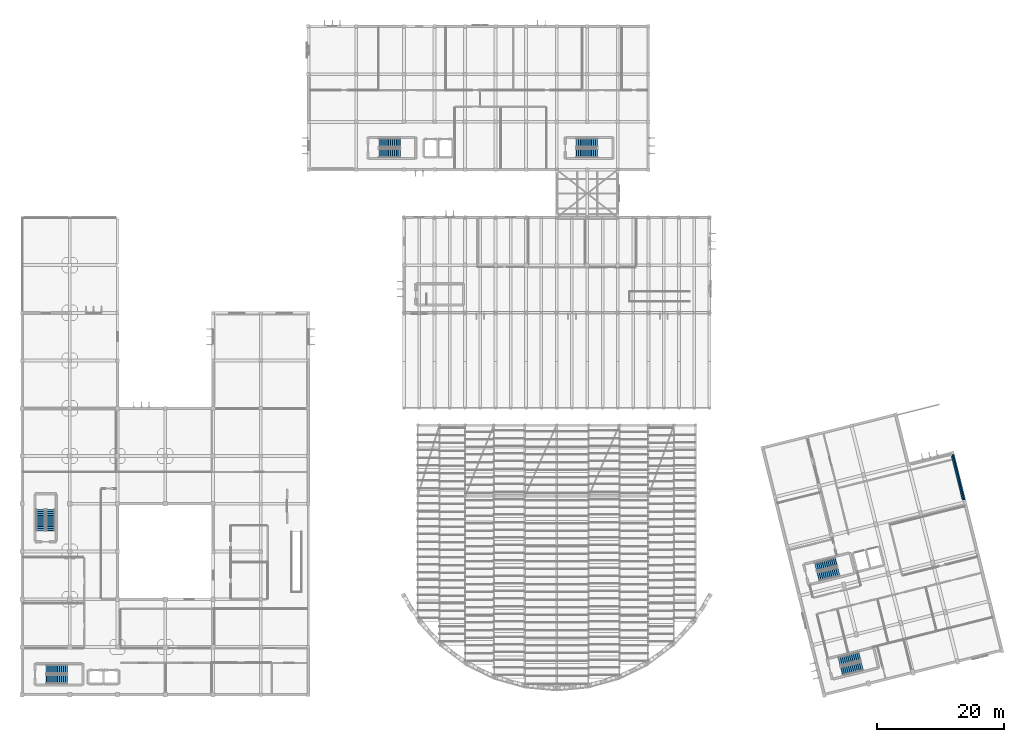
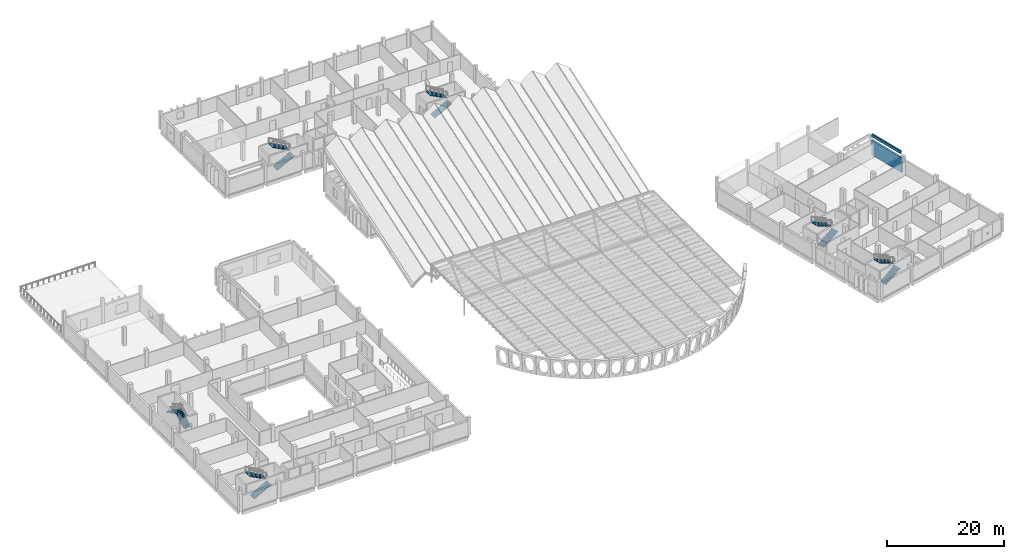
# One storey, part 33 of 47: 12 stair flights, 2 walls, 6 elements without a shape of their own.
"""IFC4 building model written with IfcOpenShell, lengths in metres."""

from ifc_helpers import new_model, si_unit, direction, frame, frame_2d, origin, place, context, subcontext, project, spatial, polyline, rectangle, outline, extrude, material, layer, layer_set, type_object, element, aggregate, save


model = new_model("IFC4")

# Units and contexts
model_context = context("Model", 3, precision=1e-05, world=origin(), true_north=direction((0.0, 1.0)))
body_context = subcontext(model_context, "Body", "Model", "MODEL_VIEW")
ifc_project = project(units=[si_unit("LENGTHUNIT", "METRE"), si_unit("AREAUNIT", "SQUARE_METRE"), si_unit("VOLUMEUNIT", "CUBIC_METRE"), si_unit("PLANEANGLEUNIT", "RADIAN"), si_unit("MASSUNIT", "GRAM", prefix="KILO")], contexts=[model_context])

# Site, building, storey
site_placement = place(None, origin())
site = spatial("IfcSite", under=ifc_project, at=site_placement, CompositionType="ELEMENT")
building_placement = place(site_placement, origin())
building = spatial("IfcBuilding", under=site, at=building_placement, Name="Mawjan Specialist Oncology Clinic", CompositionType="ELEMENT")
storey_placement = place(building_placement, frame((0.0, 0.0, 9.5)))
storey = spatial("IfcBuildingStorey", under=building, at=storey_placement, Name="L02", CompositionType="ELEMENT", Elevation=9.5)

# Walls
ifc_material_1 = material(Name="Precast concrete C40/50", Category="concrete")
ifc_layer_1 = layer(ifc_material_1, 0.35009765625, Name="Precast concrete C40/50", Category="concrete")
ifc_layer_set_1 = layer_set([ifc_layer_1], Name="Precast concrete C40/50")
wall_type_1 = type_object("IfcWallType", Name="EW-350", PredefinedType="SOLIDWALL", material=ifc_layer_set_1)
wall_1_placement = place(storey_placement, frame((146.263427734375, 38.57421875, 0.0), z_axis=(0.0, 0.0, 1.0), x_axis=(0.241920240952, -0.970296138825, 0.0)))
element("IfcWall", 1, at=wall_1_placement, inside=storey, type_object=wall_type_1, Name="L02 Coral-Limestone Exterior Wall EW-L02-151", PredefinedType="SOLIDWALL", context=body_context, shape_type="SweptSolid", body=[
    extrude(rectangle(XDim=7.375, YDim=0.35009765625, at=frame_2d((3.6875, 0.0))), origin(), (0.0, 0.0, 1.0), 3.034912109375),
])
ifc_material_2 = material(Name="Precast concrete C40/50", Category="concrete")
ifc_layer_2 = layer(ifc_material_2, 0.260009765625, Name="Precast concrete C40/50", Category="concrete")
ifc_layer_set_2 = layer_set([ifc_layer_2], Name="Precast concrete C40/50")
wall_type_2 = type_object("IfcWallType", Name="PAR-260", PredefinedType="PARAPET", material=ifc_layer_set_2)
wall_2_placement = place(storey_placement, frame((146.14453125, 38.3076171875, 3.89990234375), z_axis=(0.0, 0.0, 1.0), x_axis=(0.24191366813, -0.970297777578, 0.0)))
element("IfcWall", 2, at=wall_2_placement, inside=storey, type_object=wall_type_2, Name="L02 Roof Parapet Upstand 23", PredefinedType="PARAPET", context=body_context, shape_type="SweptSolid", body=[
    extrude(rectangle(XDim=7.02001953125, YDim=0.260009765625, at=frame_2d((3.510009765625, 0.0))), origin(), (0.0, 0.0, 1.0), 0.60009765625),
])

# Stair, stair flights
ifc_material_3 = material(Name="Concrete C35/45", Category="concrete")
stair_type = type_object("IfcStairType", Name="STR-CORE40", PredefinedType="HALF_TURN_STAIR", material=ifc_material_3)
stair_1_placement = place(storey_placement, origin())
stair_1 = element("IfcStair", 3, at=stair_1_placement, inside=storey, type_object=stair_type, Name="L02 Exit Stair ST-01", PredefinedType="HALF_TURN_STAIR")
ifc_material_4 = material(Name="Concrete C35/45", Category="concrete")
ifc_layer_3 = layer(ifc_material_4, 0.14990234375, Name="Concrete C35/45", Category="concrete")
ifc_layer_set_3 = layer_set([ifc_layer_3], Name="Concrete C35/45")
stair_flight_type = type_object("IfcStairFlightType", Name="FLT-CORE40", PredefinedType="STRAIGHT", material=ifc_layer_set_3)
stair_flight_1_placement = place(storey_placement, frame((3.800048828125, 3.199951171875, 0.0), z_axis=(0.0, 0.0, 1.0), x_axis=(1.0, 0.0, 0.0)))
stair_flight_1 = element("IfcStairFlight", 4, at=stair_flight_1_placement, type_object=stair_flight_type, Name="ST-01 flight 1", NumberOfRisers=12, NumberOfTreads=11, PredefinedType="STRAIGHT", RiserHeight=0.166666667, TreadLength=0.3, context=body_context, shape_type="SweptSolid", body=[
    extrude(outline(polyline([(-0.044921875, -0.0400390625), (-0.044921875, 0.0), (0.0, 0.0), (0.0, 0.166748046875), (0.300048828125, 0.166748046875), (0.300048828125, 0.333251953125), (0.60009765625, 0.333251953125), (0.60009765625, 0.5), (0.89990234375, 0.5), (0.89990234375, 0.666748046875), (1.199951171875, 0.666748046875), (1.199951171875, 0.833251953125), (1.5, 0.833251953125), (1.5, 1.0), (1.800048828125, 1.0), (1.800048828125, 1.166748046875), (2.10009765625, 1.166748046875), (2.10009765625, 1.333251953125), (2.39990234375, 1.333251953125), (2.39990234375, 1.5), (2.699951171875, 1.5), (2.699951171875, 1.666748046875), (3.0, 1.666748046875), (3.0, 1.833251953125), (3.300048828125, 1.833251953125), (3.344970703125, 1.833251953125), (3.344970703125, 1.683349609375), (0.044921875, -0.0400390625), (-0.044921875, -0.0400390625)])), frame((0.0, 0.699951171875, 0.0), z_axis=(0.0, -1.0, 0.0), x_axis=(1.0, 0.0, 0.0)), (0.0, 0.0, 1.0), 1.39990234375),
])
stair_flight_2_placement = place(storey_placement, frame((7.10009765625, 4.800048828125, 2.0), z_axis=(0.0, 0.0, 1.0), x_axis=(-1.0, 0.0, 0.0)))
stair_flight_2 = element("IfcStairFlight", 5, at=stair_flight_2_placement, type_object=stair_flight_type, Name="ST-01 flight 2", NumberOfRisers=12, NumberOfTreads=11, PredefinedType="STRAIGHT", RiserHeight=0.166666667, TreadLength=0.3, context=body_context, shape_type="SweptSolid", body=[
    extrude(outline(polyline([(-0.044921875, -0.0400390625), (-0.044921875, 0.0), (0.0, 0.0), (0.0, 0.166748046875), (0.300048828125, 0.166748046875), (0.300048828125, 0.333251953125), (0.60009765625, 0.333251953125), (0.60009765625, 0.5), (0.89990234375, 0.5), (0.89990234375, 0.666748046875), (1.199951171875, 0.666748046875), (1.199951171875, 0.833251953125), (1.5, 0.833251953125), (1.5, 1.0), (1.800048828125, 1.0), (1.800048828125, 1.166748046875), (2.10009765625, 1.166748046875), (2.10009765625, 1.333251953125), (2.39990234375, 1.333251953125), (2.39990234375, 1.5), (2.699951171875, 1.5), (2.699951171875, 1.666748046875), (3.0, 1.666748046875), (3.0, 1.833251953125), (3.300048828125, 1.833251953125), (3.344970703125, 1.833251953125), (3.344970703125, 1.683349609375), (0.044921875, -0.0400390625), (-0.044921875, -0.0400390625)])), frame((0.0, 0.699951171875, 0.0), z_axis=(0.0, -1.0, 0.0), x_axis=(1.0, 0.0, 0.0)), (0.0, 0.0, 1.0), 1.39990234375),
])
aggregate(stair_1, [stair_flight_1, stair_flight_2])

stair_2_placement = place(storey_placement, origin())
stair_2 = element("IfcStair", 6, at=stair_2_placement, inside=storey, type_object=stair_type, Name="L02 Exit Stair ST-02", PredefinedType="HALF_TURN_STAIR")
stair_flight_3_placement = place(storey_placement, frame((4.5, 26.60009765625, 0.0), z_axis=(0.0, 0.0, 1.0), x_axis=(0.0, 1.0, 0.0)))
stair_flight_3 = element("IfcStairFlight", 7, at=stair_flight_3_placement, type_object=stair_flight_type, Name="ST-02 flight 1", NumberOfRisers=12, NumberOfTreads=11, PredefinedType="STRAIGHT", RiserHeight=0.166666667, TreadLength=0.3, context=body_context, shape_type="SweptSolid", body=[
    extrude(outline(polyline([(-0.044921875, -0.0400390625), (-0.044921875, 0.0), (0.0, 0.0), (0.0, 0.166748046875), (0.300048828125, 0.166748046875), (0.300048828125, 0.333251953125), (0.60009765625, 0.333251953125), (0.60009765625, 0.5), (0.89990234375, 0.5), (0.89990234375, 0.666748046875), (1.199951171875, 0.666748046875), (1.199951171875, 0.833251953125), (1.5, 0.833251953125), (1.5, 1.0), (1.800048828125, 1.0), (1.800048828125, 1.166748046875), (2.10009765625, 1.166748046875), (2.10009765625, 1.333251953125), (2.39990234375, 1.333251953125), (2.39990234375, 1.5), (2.699951171875, 1.5), (2.699951171875, 1.666748046875), (3.0, 1.666748046875), (3.0, 1.833251953125), (3.300048828125, 1.833251953125), (3.344970703125, 1.833251953125), (3.344970703125, 1.683349609375), (0.044921875, -0.0400390625), (-0.044921875, -0.0400390625)])), frame((0.0, 0.699951171875, 0.0), z_axis=(0.0, -1.0, 0.0), x_axis=(1.0, 0.0, 0.0)), (0.0, 0.0, 1.0), 1.39990234375),
])
stair_flight_4_placement = place(storey_placement, frame((2.89990234375, 29.89990234375, 2.0), z_axis=(0.0, 0.0, 1.0), x_axis=(0.0, -1.0, 0.0)))
stair_flight_4 = element("IfcStairFlight", 8, at=stair_flight_4_placement, type_object=stair_flight_type, Name="ST-02 flight 2", NumberOfRisers=12, NumberOfTreads=11, PredefinedType="STRAIGHT", RiserHeight=0.166666667, TreadLength=0.3, context=body_context, shape_type="SweptSolid", body=[
    extrude(outline(polyline([(-0.044921875, -0.0400390625), (-0.044921875, 0.0), (0.0, 0.0), (0.0, 0.166748046875), (0.300048828125, 0.166748046875), (0.300048828125, 0.333251953125), (0.60009765625, 0.333251953125), (0.60009765625, 0.5), (0.89990234375, 0.5), (0.89990234375, 0.666748046875), (1.199951171875, 0.666748046875), (1.199951171875, 0.833251953125), (1.5, 0.833251953125), (1.5, 1.0), (1.800048828125, 1.0), (1.800048828125, 1.166748046875), (2.10009765625, 1.166748046875), (2.10009765625, 1.333251953125), (2.39990234375, 1.333251953125), (2.39990234375, 1.5), (2.699951171875, 1.5), (2.699951171875, 1.666748046875), (3.0, 1.666748046875), (3.0, 1.833251953125), (3.300048828125, 1.833251953125), (3.344970703125, 1.833251953125), (3.344970703125, 1.683349609375), (0.044921875, -0.0400390625), (-0.044921875, -0.0400390625)])), frame((0.0, 0.699951171875, 0.0), z_axis=(0.0, -1.0, 0.0), x_axis=(1.0, 0.0, 0.0)), (0.0, 0.0, 1.0), 1.39990234375),
])
aggregate(stair_2, [stair_flight_3, stair_flight_4])

stair_3_placement = place(storey_placement, origin())
stair_3 = element("IfcStair", 9, at=stair_3_placement, inside=storey, type_object=stair_type, Name="L02 Exit Stair ST-03", PredefinedType="HALF_TURN_STAIR")
stair_flight_5_placement = place(storey_placement, frame((56.10009765625, 85.89990234375, 0.0), z_axis=(0.0, 0.0, 1.0), x_axis=(1.0, 0.0, 0.0)))
stair_flight_5 = element("IfcStairFlight", 10, at=stair_flight_5_placement, type_object=stair_flight_type, Name="ST-03 flight 1", NumberOfRisers=12, NumberOfTreads=11, PredefinedType="STRAIGHT", RiserHeight=0.166666667, TreadLength=0.3, context=body_context, shape_type="SweptSolid", body=[
    extrude(outline(polyline([(-0.044921875, -0.0400390625), (-0.044921875, 0.0), (0.0, 0.0), (0.0, 0.166748046875), (0.300048828125, 0.166748046875), (0.300048828125, 0.333251953125), (0.60009765625, 0.333251953125), (0.60009765625, 0.5), (0.89990234375, 0.5), (0.89990234375, 0.666748046875), (1.199951171875, 0.666748046875), (1.199951171875, 0.833251953125), (1.5, 0.833251953125), (1.5, 1.0), (1.800048828125, 1.0), (1.800048828125, 1.166748046875), (2.10009765625, 1.166748046875), (2.10009765625, 1.333251953125), (2.39990234375, 1.333251953125), (2.39990234375, 1.5), (2.699951171875, 1.5), (2.699951171875, 1.666748046875), (3.0, 1.666748046875), (3.0, 1.833251953125), (3.300048828125, 1.833251953125), (3.344970703125, 1.833251953125), (3.344970703125, 1.683349609375), (0.044921875, -0.0400390625), (-0.044921875, -0.0400390625)])), frame((0.0, 0.699951171875, 0.0), z_axis=(0.0, -1.0, 0.0), x_axis=(1.0, 0.0, 0.0)), (0.0, 0.0, 1.0), 1.39990234375),
])
stair_flight_6_placement = place(storey_placement, frame((59.39990234375, 87.5, 2.0), z_axis=(0.0, 0.0, 1.0), x_axis=(-1.0, 0.0, 0.0)))
stair_flight_6 = element("IfcStairFlight", 11, at=stair_flight_6_placement, type_object=stair_flight_type, Name="ST-03 flight 2", NumberOfRisers=12, NumberOfTreads=11, PredefinedType="STRAIGHT", RiserHeight=0.166666667, TreadLength=0.3, context=body_context, shape_type="SweptSolid", body=[
    extrude(outline(polyline([(-0.044921875, -0.0400390625), (-0.044921875, 0.0), (0.0, 0.0), (0.0, 0.166748046875), (0.300048828125, 0.166748046875), (0.300048828125, 0.333251953125), (0.60009765625, 0.333251953125), (0.60009765625, 0.5), (0.89990234375, 0.5), (0.89990234375, 0.666748046875), (1.199951171875, 0.666748046875), (1.199951171875, 0.833251953125), (1.5, 0.833251953125), (1.5, 1.0), (1.800048828125, 1.0), (1.800048828125, 1.166748046875), (2.10009765625, 1.166748046875), (2.10009765625, 1.333251953125), (2.39990234375, 1.333251953125), (2.39990234375, 1.5), (2.699951171875, 1.5), (2.699951171875, 1.666748046875), (3.0, 1.666748046875), (3.0, 1.833251953125), (3.300048828125, 1.833251953125), (3.344970703125, 1.833251953125), (3.344970703125, 1.683349609375), (0.044921875, -0.0400390625), (-0.044921875, -0.0400390625)])), frame((0.0, 0.699951171875, 0.0), z_axis=(0.0, -1.0, 0.0), x_axis=(1.0, 0.0, 0.0)), (0.0, 0.0, 1.0), 1.39990234375),
])
aggregate(stair_3, [stair_flight_5, stair_flight_6])

stair_4_placement = place(storey_placement, origin())
stair_4 = element("IfcStair", 12, at=stair_4_placement, inside=storey, type_object=stair_type, Name="L02 Exit Stair ST-04", PredefinedType="HALF_TURN_STAIR")
stair_flight_7_placement = place(storey_placement, frame((87.10009765625, 85.89990234375, 0.0), z_axis=(0.0, 0.0, 1.0), x_axis=(1.0, 0.0, 0.0)))
stair_flight_7 = element("IfcStairFlight", 13, at=stair_flight_7_placement, type_object=stair_flight_type, Name="ST-04 flight 1", NumberOfRisers=12, NumberOfTreads=11, PredefinedType="STRAIGHT", RiserHeight=0.166666667, TreadLength=0.3, context=body_context, shape_type="SweptSolid", body=[
    extrude(outline(polyline([(-0.044921875, -0.0400390625), (-0.044921875, 0.0), (0.0, 0.0), (0.0, 0.166748046875), (0.300048828125, 0.166748046875), (0.300048828125, 0.333251953125), (0.60009765625, 0.333251953125), (0.60009765625, 0.5), (0.89990234375, 0.5), (0.89990234375, 0.666748046875), (1.199951171875, 0.666748046875), (1.199951171875, 0.833251953125), (1.5, 0.833251953125), (1.5, 1.0), (1.800048828125, 1.0), (1.800048828125, 1.166748046875), (2.10009765625, 1.166748046875), (2.10009765625, 1.333251953125), (2.39990234375, 1.333251953125), (2.39990234375, 1.5), (2.699951171875, 1.5), (2.699951171875, 1.666748046875), (3.0, 1.666748046875), (3.0, 1.833251953125), (3.300048828125, 1.833251953125), (3.344970703125, 1.833251953125), (3.344970703125, 1.683349609375), (0.044921875, -0.0400390625), (-0.044921875, -0.0400390625)])), frame((0.0, 0.699951171875, 0.0), z_axis=(0.0, -1.0, 0.0), x_axis=(1.0, 0.0, 0.0)), (0.0, 0.0, 1.0), 1.39990234375),
])
stair_flight_8_placement = place(storey_placement, frame((90.39990234375, 87.5, 2.0), z_axis=(0.0, 0.0, 1.0), x_axis=(-1.0, 0.0, 0.0)))
stair_flight_8 = element("IfcStairFlight", 14, at=stair_flight_8_placement, type_object=stair_flight_type, Name="ST-04 flight 2", NumberOfRisers=12, NumberOfTreads=11, PredefinedType="STRAIGHT", RiserHeight=0.166666667, TreadLength=0.3, context=body_context, shape_type="SweptSolid", body=[
    extrude(outline(polyline([(-0.044921875, -0.0400390625), (-0.044921875, 0.0), (0.0, 0.0), (0.0, 0.166748046875), (0.300048828125, 0.166748046875), (0.300048828125, 0.333251953125), (0.60009765625, 0.333251953125), (0.60009765625, 0.5), (0.89990234375, 0.5), (0.89990234375, 0.666748046875), (1.199951171875, 0.666748046875), (1.199951171875, 0.833251953125), (1.5, 0.833251953125), (1.5, 1.0), (1.800048828125, 1.0), (1.800048828125, 1.166748046875), (2.10009765625, 1.166748046875), (2.10009765625, 1.333251953125), (2.39990234375, 1.333251953125), (2.39990234375, 1.5), (2.699951171875, 1.5), (2.699951171875, 1.666748046875), (3.0, 1.666748046875), (3.0, 1.833251953125), (3.300048828125, 1.833251953125), (3.344970703125, 1.833251953125), (3.344970703125, 1.683349609375), (0.044921875, -0.0400390625), (-0.044921875, -0.0400390625)])), frame((0.0, 0.699951171875, 0.0), z_axis=(0.0, -1.0, 0.0), x_axis=(1.0, 0.0, 0.0)), (0.0, 0.0, 1.0), 1.39990234375),
])
aggregate(stair_4, [stair_flight_7, stair_flight_8])

stair_5_placement = place(storey_placement, origin())
stair_5 = element("IfcStair", 15, at=stair_5_placement, inside=storey, type_object=stair_type, Name="L02 Exit Stair ST-05", PredefinedType="HALF_TURN_STAIR")
stair_flight_9_placement = place(storey_placement, frame((125.090087890625, 19.330322265625, 0.0), z_axis=(0.0, 0.0, 1.0), x_axis=(0.970295726276, 0.2419218956, 0.0)))
stair_flight_9 = element("IfcStairFlight", 16, at=stair_flight_9_placement, type_object=stair_flight_type, Name="ST-05 flight 1", NumberOfRisers=12, NumberOfTreads=11, PredefinedType="STRAIGHT", RiserHeight=0.166666667, TreadLength=0.3, context=body_context, shape_type="SweptSolid", body=[
    extrude(outline(polyline([(-0.044921875, -0.0400390625), (-0.044921875, 0.0), (0.0, 0.0), (0.0, 0.166748046875), (0.300048828125, 0.166748046875), (0.300048828125, 0.333251953125), (0.60009765625, 0.333251953125), (0.60009765625, 0.5), (0.89990234375, 0.5), (0.89990234375, 0.666748046875), (1.199951171875, 0.666748046875), (1.199951171875, 0.833251953125), (1.5, 0.833251953125), (1.5, 1.0), (1.800048828125, 1.0), (1.800048828125, 1.166748046875), (2.10009765625, 1.166748046875), (2.10009765625, 1.333251953125), (2.39990234375, 1.333251953125), (2.39990234375, 1.5), (2.699951171875, 1.5), (2.699951171875, 1.666748046875), (3.0, 1.666748046875), (3.0, 1.833251953125), (3.300048828125, 1.833251953125), (3.344970703125, 1.833251953125), (3.344970703125, 1.683349609375), (0.044921875, -0.0400390625), (-0.044921875, -0.0400390625)])), frame((0.0, 0.699951171875, 0.0), z_axis=(0.0, -1.0, 0.0), x_axis=(1.0, 0.0, 0.0)), (0.0, 0.0, 1.0), 1.39990234375),
])
stair_flight_10_placement = place(storey_placement, frame((127.905029296875, 21.68115234375, 2.0), z_axis=(0.0, 0.0, 1.0), x_axis=(-0.970295726276, -0.2419218956, 0.0)))
stair_flight_10 = element("IfcStairFlight", 17, at=stair_flight_10_placement, type_object=stair_flight_type, Name="ST-05 flight 2", NumberOfRisers=12, NumberOfTreads=11, PredefinedType="STRAIGHT", RiserHeight=0.166666667, TreadLength=0.3, context=body_context, shape_type="SweptSolid", body=[
    extrude(outline(polyline([(-0.044921875, -0.0400390625), (-0.044921875, 0.0), (0.0, 0.0), (0.0, 0.166748046875), (0.300048828125, 0.166748046875), (0.300048828125, 0.333251953125), (0.60009765625, 0.333251953125), (0.60009765625, 0.5), (0.89990234375, 0.5), (0.89990234375, 0.666748046875), (1.199951171875, 0.666748046875), (1.199951171875, 0.833251953125), (1.5, 0.833251953125), (1.5, 1.0), (1.800048828125, 1.0), (1.800048828125, 1.166748046875), (2.10009765625, 1.166748046875), (2.10009765625, 1.333251953125), (2.39990234375, 1.333251953125), (2.39990234375, 1.5), (2.699951171875, 1.5), (2.699951171875, 1.666748046875), (3.0, 1.666748046875), (3.0, 1.833251953125), (3.300048828125, 1.833251953125), (3.344970703125, 1.833251953125), (3.344970703125, 1.683349609375), (0.044921875, -0.0400390625), (-0.044921875, -0.0400390625)])), frame((0.0, 0.699951171875, 0.0), z_axis=(0.0, -1.0, 0.0), x_axis=(1.0, 0.0, 0.0)), (0.0, 0.0, 1.0), 1.39990234375),
])
aggregate(stair_5, [stair_flight_9, stair_flight_10])

stair_6_placement = place(storey_placement, origin())
stair_6 = element("IfcStair", 18, at=stair_6_placement, inside=storey, type_object=stair_type, Name="L02 Exit Stair ST-06", PredefinedType="HALF_TURN_STAIR")
stair_flight_11_placement = place(storey_placement, frame((128.79150390625, 4.48486328125, 0.0), z_axis=(0.0, 0.0, 1.0), x_axis=(0.970295726276, 0.2419218956, 0.0)))
stair_flight_11 = element("IfcStairFlight", 19, at=stair_flight_11_placement, type_object=stair_flight_type, Name="ST-06 flight 1", NumberOfRisers=12, NumberOfTreads=11, PredefinedType="STRAIGHT", RiserHeight=0.166666667, TreadLength=0.3, context=body_context, shape_type="SweptSolid", body=[
    extrude(outline(polyline([(-0.044921875, -0.0400390625), (-0.044921875, 0.0), (0.0, 0.0), (0.0, 0.166748046875), (0.300048828125, 0.166748046875), (0.300048828125, 0.333251953125), (0.60009765625, 0.333251953125), (0.60009765625, 0.5), (0.89990234375, 0.5), (0.89990234375, 0.666748046875), (1.199951171875, 0.666748046875), (1.199951171875, 0.833251953125), (1.5, 0.833251953125), (1.5, 1.0), (1.800048828125, 1.0), (1.800048828125, 1.166748046875), (2.10009765625, 1.166748046875), (2.10009765625, 1.333251953125), (2.39990234375, 1.333251953125), (2.39990234375, 1.5), (2.699951171875, 1.5), (2.699951171875, 1.666748046875), (3.0, 1.666748046875), (3.0, 1.833251953125), (3.300048828125, 1.833251953125), (3.344970703125, 1.833251953125), (3.344970703125, 1.683349609375), (0.044921875, -0.0400390625), (-0.044921875, -0.0400390625)])), frame((0.0, 0.699951171875, 0.0), z_axis=(0.0, -1.0, 0.0), x_axis=(1.0, 0.0, 0.0)), (0.0, 0.0, 1.0), 1.39990234375),
])
stair_flight_12_placement = place(storey_placement, frame((131.6064453125, 6.835693359375, 2.0), z_axis=(0.0, 0.0, 1.0), x_axis=(-0.970295726276, -0.2419218956, 0.0)))
stair_flight_12 = element("IfcStairFlight", 20, at=stair_flight_12_placement, type_object=stair_flight_type, Name="ST-06 flight 2", NumberOfRisers=12, NumberOfTreads=11, PredefinedType="STRAIGHT", RiserHeight=0.166666667, TreadLength=0.3, context=body_context, shape_type="SweptSolid", body=[
    extrude(outline(polyline([(-0.044921875, -0.0400390625), (-0.044921875, 0.0), (0.0, 0.0), (0.0, 0.166748046875), (0.300048828125, 0.166748046875), (0.300048828125, 0.333251953125), (0.60009765625, 0.333251953125), (0.60009765625, 0.5), (0.89990234375, 0.5), (0.89990234375, 0.666748046875), (1.199951171875, 0.666748046875), (1.199951171875, 0.833251953125), (1.5, 0.833251953125), (1.5, 1.0), (1.800048828125, 1.0), (1.800048828125, 1.166748046875), (2.10009765625, 1.166748046875), (2.10009765625, 1.333251953125), (2.39990234375, 1.333251953125), (2.39990234375, 1.5), (2.699951171875, 1.5), (2.699951171875, 1.666748046875), (3.0, 1.666748046875), (3.0, 1.833251953125), (3.300048828125, 1.833251953125), (3.344970703125, 1.833251953125), (3.344970703125, 1.683349609375), (0.044921875, -0.0400390625), (-0.044921875, -0.0400390625)])), frame((0.0, 0.699951171875, 0.0), z_axis=(0.0, -1.0, 0.0), x_axis=(1.0, 0.0, 0.0)), (0.0, 0.0, 1.0), 1.39990234375),
])
aggregate(stair_6, [stair_flight_11, stair_flight_12])

save(model, "model.ifc")
